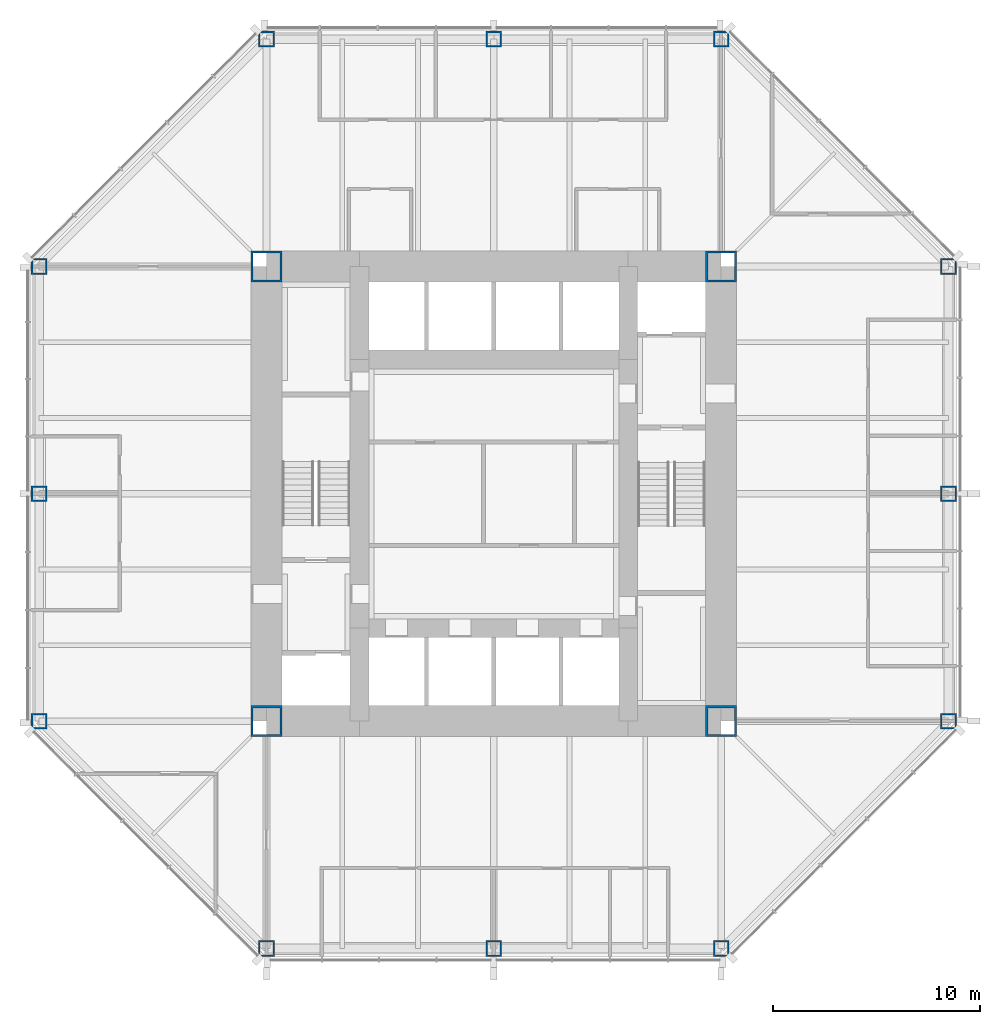
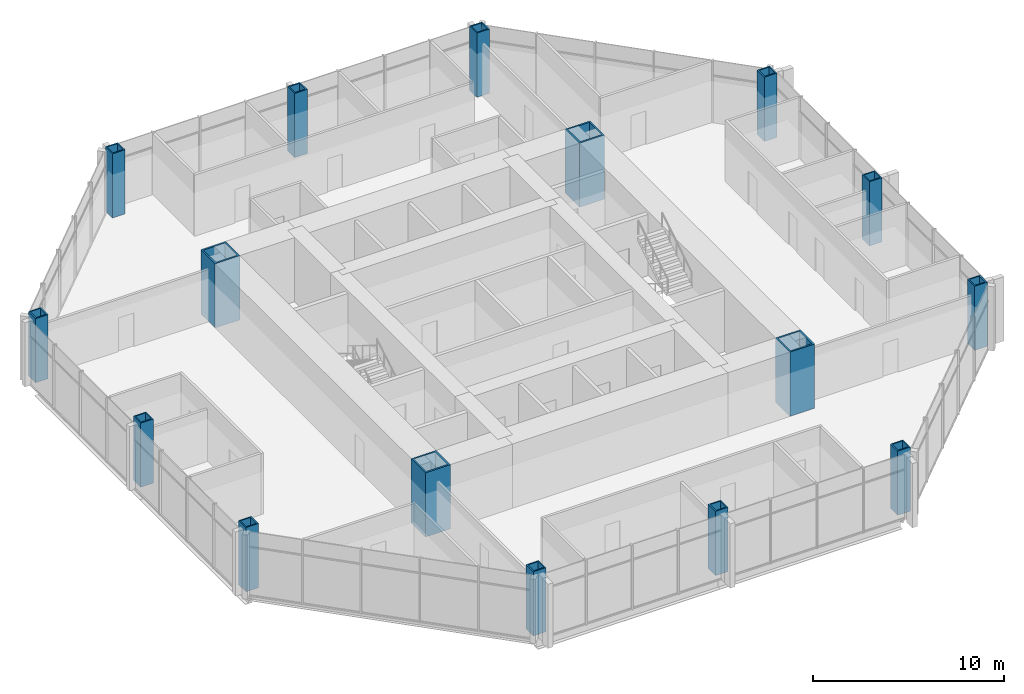
# One storey, part 1 of 12: 16 columns.
"""IFC4 building model written with IfcOpenShell, lengths in metres."""

from ifc_helpers import new_model, si_unit, direction, frame, origin, origin_2d, place, context, subcontext, project, spatial, hollow_rectangle, extrude, material, material_profile, profile_set, type_object, element, save


model = new_model("IFC4")

# Units and contexts
model_context = context("Model", 3, precision=1e-05, world=origin(), true_north=direction((0.0, 1.0)))
body_context = subcontext(model_context, "Body", "Model", "MODEL_VIEW")
ifc_project = project(units=[si_unit("LENGTHUNIT", "METRE"), si_unit("AREAUNIT", "SQUARE_METRE"), si_unit("VOLUMEUNIT", "CUBIC_METRE"), si_unit("PLANEANGLEUNIT", "RADIAN"), si_unit("MASSUNIT", "GRAM", prefix="KILO")], contexts=[model_context])

# Site, building, storey
site_placement = place(None, origin())
site = spatial("IfcSite", under=ifc_project, at=site_placement, CompositionType="ELEMENT")
building_placement = place(site_placement, origin())
building = spatial("IfcBuilding", under=site, at=building_placement, Name="Trevanion Tower", CompositionType="ELEMENT")
storey_placement = place(building_placement, frame((0.0, 0.0, 150.0)))
storey = spatial("IfcBuildingStorey", under=building, at=storey_placement, Name="L35", CompositionType="ELEMENT", Elevation=150.0)

# Columns
ifc_material_1 = material(Name="Steel ASTM A572 Grade 50", Category="steel")
ifc_material_profile_1 = material_profile(ifc_material_1, hollow_rectangle(XDim=0.761962890625, YDim=0.761962890625, WallThickness=0.076171875, at=origin_2d()), Name="BOX30X30X3")
ifc_profile_set_1 = profile_set([ifc_material_profile_1], Name="Steel ASTM A572 Grade 50")
column_type_1 = type_object("IfcColumnType", Name="C4 BOX30X30X3", PredefinedType="COLUMN", material=ifc_profile_set_1)
for number, where, z_axis, x_axis, name in (
    (1, (-22.0, 0.0, 0.0), (0.0, 0.0, 1.0), (0.0, 1.0, 0.0), "C4 4/H L35"),
    (2, (-22.0, -11.0, 0.0), (0.0, 0.0, 1.0), (0.0, 1.0, 0.0), "C4 4/F L35"),
    (3, (-11.0, -22.0, 0.0), (0.0, 0.0, 1.0), (1.0, 0.0, 0.0), "C4 8/B L35"),
    (4, (0.0, -22.0, 0.0), (0.0, 0.0, 1.0), (1.0, 0.0, 0.0), "C4 10/B L35"),
    (5, (11.0, -22.0, 0.0), (0.0, 0.0, 1.0), (1.0, 0.0, 0.0), "C4 12/B L35"),
    (6, (22.0, -11.0, 0.0), (0.0, 0.0, 1.0), (0.0, 1.0, 0.0), "C4 16/F L35"),
    (7, (22.0, 0.0, 0.0), (0.0, 0.0, 1.0), (0.0, 1.0, 0.0), "C4 16/H L35"),
    (8, (22.0, 11.0, 0.0), (0.0, 0.0, 1.0), (0.0, 1.0, 0.0), "C4 16/K L35"),
    (9, (11.0, 22.0, 0.0), (0.0, 0.0, 1.0), (1.0, 0.0, 0.0), "C4 12/P L35"),
    (10, (0.0, 22.0, 0.0), (0.0, 0.0, 1.0), (1.0, 0.0, 0.0), "C4 10/P L35"),
    (11, (-11.0, 22.0, 0.0), (0.0, 0.0, 1.0), (1.0, 0.0, 0.0), "C4 8/P L35"),
    (12, (-22.0, 11.0, 0.0), (0.0, 0.0, 1.0), (0.0, 1.0, 0.0), "C4 4/K L35"),
):
    element("IfcColumn", number, at=place(storey_placement, frame(where, z_axis=z_axis, x_axis=x_axis)), inside=storey, type_object=column_type_1, Name=name, PredefinedType="COLUMN", context=body_context, shape_type="SweptSolid", body=[
        extrude(hollow_rectangle(XDim=0.761962890625, YDim=0.761962890625, WallThickness=0.076171875, at=origin_2d()), origin(), (0.0, 0.0, 1.0), 4.10009765625),
    ])
ifc_material_2 = material(Name="Steel ASTM A572 Grade 50", Category="steel")
ifc_material_profile_2 = material_profile(ifc_material_2, hollow_rectangle(XDim=1.49853515625, YDim=1.49853515625, WallThickness=0.1015625, at=origin_2d()), Name="BOX59X59X4")
ifc_profile_set_2 = profile_set([ifc_material_profile_2], Name="Steel ASTM A572 Grade 50")
column_type_2 = type_object("IfcColumnType", Name="CB1 BOX59X59X4", PredefinedType="COLUMN", material=ifc_profile_set_2)
for number, where, z_axis, x_axis, name in (
    (13, (11.0, 11.0, 0.0), (0.0, 0.0, 1.0), (1.0, 0.0, 0.0), "CB1 NE L35"),
    (14, (-11.0, 11.0, 0.0), (0.0, 0.0, 1.0), (1.0, 0.0, 0.0), "CB1 NW L35"),
    (15, (-11.0, -11.0, 0.0), (0.0, 0.0, 1.0), (1.0, 0.0, 0.0), "CB1 SW L35"),
    (16, (11.0, -11.0, 0.0), (0.0, 0.0, 1.0), (1.0, 0.0, 0.0), "CB1 SE L35"),
):
    element("IfcColumn", number, at=place(storey_placement, frame(where, z_axis=z_axis, x_axis=x_axis)), inside=storey, type_object=column_type_2, Name=name, PredefinedType="COLUMN", context=body_context, shape_type="SweptSolid", body=[
        extrude(hollow_rectangle(XDim=1.49853515625, YDim=1.49853515625, WallThickness=0.1015625, at=origin_2d()), origin(), (0.0, 0.0, 1.0), 4.10009765625),
    ])

save(model, "model.ifc")
